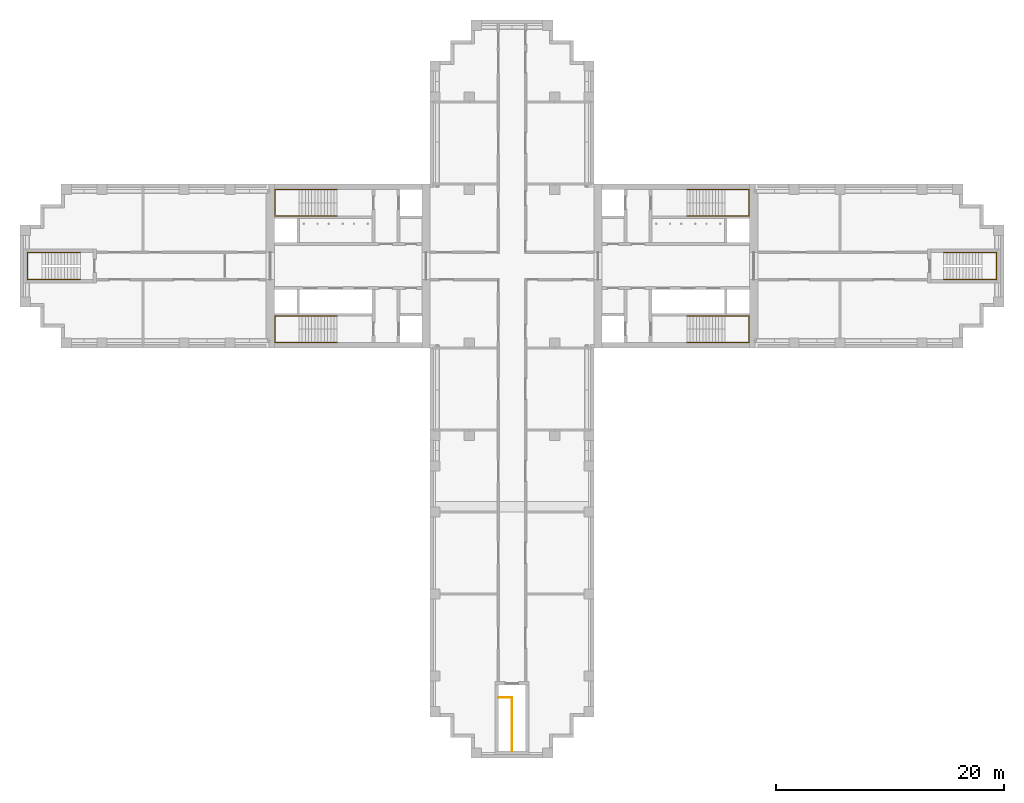
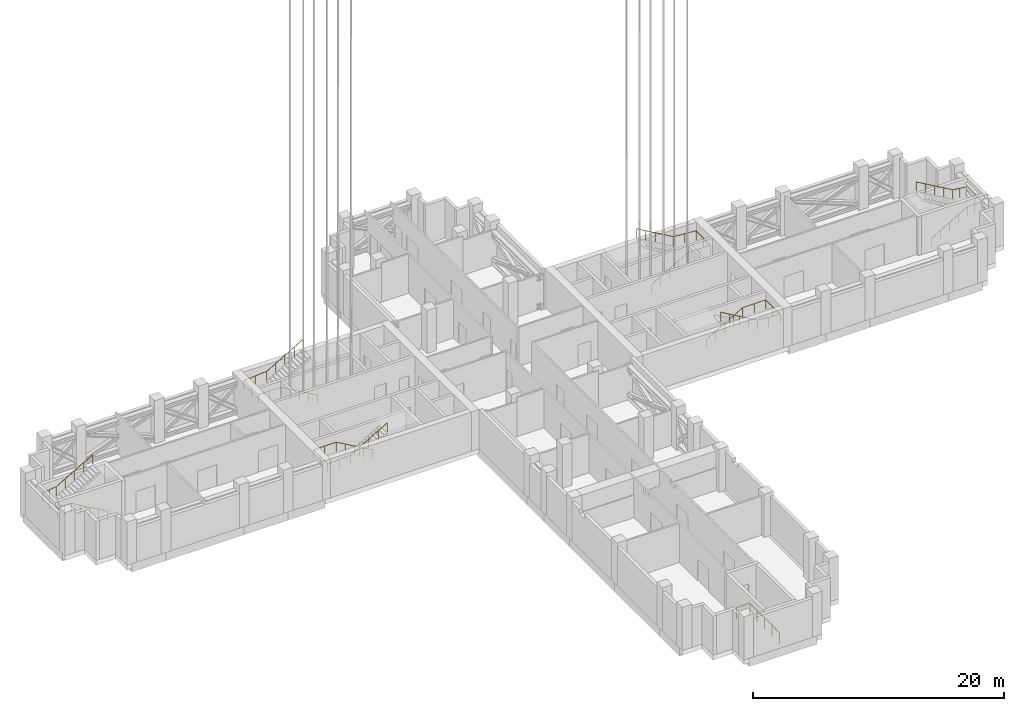
# One storey, part 22 of 22: 7 railings.
"""IFC4 building model written with IfcOpenShell, lengths in metres."""

import ifcopenshell
import ifcopenshell.guid

model = None  # the IFC model being written
_history = None  # IfcOwnerHistory: only IFC2X3 demands one
_inside = {}  # id of a spatial element -> (the spatial element, [elements in it])
_under = {}  # id of a project, library or spatial element -> (it, [spatial elements below it])
_declared = {}  # id of a project -> (the project, [libraries it declares])
_typed = {}  # id of a type object -> (the type object, [elements of that type])
_made_of = {}  # id of a material, layer set ... -> (it, [elements and type objects made of it])


def new_model(schema):
    """Start an empty IFC model of exactly this schema.

    Asked for "IFC4X3", IfcOpenShell would pick the latest addendum, in which some entities
    have other attributes; the version numbers below select the first issue.
    IFC2X3 requires an IfcOwnerHistory on every rooted entity: one is made here for all.
    """
    global model, _history
    if schema == "IFC4X3":
        model = ifcopenshell.file(schema_version=(4, 3, 0, 0))
    else:
        model = ifcopenshell.file(schema=schema)
    _inside.clear()
    _under.clear()
    _declared.clear()
    _typed.clear()
    _made_of.clear()
    _history = None
    if model.schema == "IFC2X3":
        org = make("IfcOrganization", Name="unknown")
        user = make(
            "IfcPersonAndOrganization",
            ThePerson=make("IfcPerson", FamilyName="unknown"),
            TheOrganization=org,
        )
        app = make(
            "IfcApplication",
            ApplicationDeveloper=org,
            Version="unknown",
            ApplicationFullName="unknown",
            ApplicationIdentifier="unknown",
        )
        _history = make(
            "IfcOwnerHistory",
            OwningUser=user,
            OwningApplication=app,
            ChangeAction="ADDED",
            CreationDate=0,
        )
    return model


def make(cls, **values):
    """One entity of the class cls with the attributes given. An attribute that is None is left unset."""
    return model.create_entity(
        cls, **{name: value for name, value in values.items() if value is not None}
    )


def rooted(cls, **values):
    """An entity with a GlobalId (a new one), such as an element, a storey or a relation."""
    return make(cls, GlobalId=ifcopenshell.guid.new(), OwnerHistory=_history, **values)


def si_unit(unit_type, name, prefix=None):
    """IfcSIUnit, for example si_unit("LENGTHUNIT", "METRE", prefix="MILLI")."""
    return make("IfcSIUnit", UnitType=unit_type, Prefix=prefix, Name=name)


def assignment(units):
    """IfcUnitAssignment: the units of a project."""
    return None if units is None else make("IfcUnitAssignment", Units=units)


def point(xyz):
    """IfcCartesianPoint."""
    return None if xyz is None else make("IfcCartesianPoint", Coordinates=xyz)


def direction(xyz):
    """IfcDirection."""
    return None if xyz is None else make("IfcDirection", DirectionRatios=xyz)


def frame(location, z_axis=None, x_axis=None):
    """IfcAxis2Placement3D, a coordinate frame: its origin and axes. An axis left out is left unset."""
    return make(
        "IfcAxis2Placement3D",
        Location=point(location),
        Axis=direction(z_axis),
        RefDirection=direction(x_axis),
    )


def frame_2d(location, x_axis=None):
    """IfcAxis2Placement2D, a coordinate frame in the plane: its origin and x axis."""
    return make(
        "IfcAxis2Placement2D", Location=point(location), RefDirection=direction(x_axis)
    )


def origin():
    """The frame at (0, 0, 0) with its axes left unset."""
    return frame((0.0, 0.0, 0.0))


def origin_2d():
    """The frame at (0, 0) in the plane with its x axis left unset."""
    return frame_2d((0.0, 0.0))


def place(relative_to, where):
    """IfcLocalPlacement: puts the frame where relative to a parent placement (None: the world)."""
    return make(
        "IfcLocalPlacement", PlacementRelTo=relative_to, RelativePlacement=where
    )


def context(
    kind, dimensions, precision=None, world=None, true_north=None, identifier=None
):
    """IfcGeometricRepresentationContext, for example the 3D "Model" context."""
    return make(
        "IfcGeometricRepresentationContext",
        ContextIdentifier=identifier,
        ContextType=kind,
        CoordinateSpaceDimension=dimensions,
        Precision=precision,
        WorldCoordinateSystem=world,
        TrueNorth=true_north,
    )


def subcontext(parent, identifier, kind, view, scale=None):
    """IfcGeometricRepresentationSubContext, for example "Body" below "Model"."""
    return make(
        "IfcGeometricRepresentationSubContext",
        ContextIdentifier=identifier,
        ContextType=kind,
        ParentContext=parent,
        TargetScale=scale,
        TargetView=view,
    )


def project(units=None, contexts=None):
    """IfcProject with its units and contexts."""
    return rooted(
        "IfcProject",
        Name="project",
        RepresentationContexts=contexts,
        UnitsInContext=assignment(units),
    )


def spatial(cls, under=None, at=None, **own):
    """A site, building, storey or space (cls), placed at a placement, below another one or the project."""
    s = rooted(cls, ObjectPlacement=at, **own)
    if under is not None:
        _under.setdefault(under.id(), (under, []))[1].append(s)
    return s


def profile(cls, at=None, kind="AREA", **sizes):
    """A parametric profile (cls). Its sizes go by their IFC names, for example OverallWidth=200.0."""
    return make(cls, ProfileType=kind, Position=at, **sizes)


def circle(**sizes):
    """IfcCircleProfileDef."""
    return profile("IfcCircleProfileDef", **sizes)


def extrude(swept, where, along, depth):
    """IfcExtrudedAreaSolid: the profile swept, set in the frame where, extruded along a direction by depth."""
    return make(
        "IfcExtrudedAreaSolid",
        SweptArea=swept,
        Position=where,
        ExtrudedDirection=direction(along),
        Depth=depth,
    )


def shape(context_of_items, identifier, shape_type, items):
    """IfcShapeRepresentation: the items that make up one representation, for example the "Body"."""
    return make(
        "IfcShapeRepresentation",
        ContextOfItems=context_of_items,
        RepresentationIdentifier=identifier,
        RepresentationType=shape_type,
        Items=items,
    )


def material(Name=None, Category=None):
    """IfcMaterial."""
    return make("IfcMaterial", Name=Name, Category=Category)


def made_of(thing, what):
    """Note that an element or type object is made of a material, layer set ...; save() writes the relation."""
    if what is not None:
        _made_of.setdefault(what.id(), (what, []))[1].append(thing)
    return thing


def type_object(cls, material=None, **own):
    """A type object (cls), such as IfcWallType, which elements share."""
    return made_of(rooted(cls, **own), material)


def element(
    cls,
    number,
    at=None,
    inside=None,
    cuts=None,
    type_object=None,
    material=None,
    context=None,
    identifier="Body",
    shape_type=None,
    held_by="IfcProductDefinitionShape",
    body=None,
    shapes=None,
    **own,
):
    """One element of the class cls, such as IfcWall. Its Tag is "e" and its number.

    at: its placement. inside: the storey or other place that contains it. cuts: it is an
    opening in that element (IfcRelVoidsElement). A single representation is given by context,
    identifier, shape_type and body (its items); several are given by shapes. held_by: the class
    of the entity that holds the representations. save() writes the other relations.
    """
    e = rooted(cls, Tag="e%d" % number, ObjectPlacement=at, **own)
    if body is not None:
        shapes = [shape(context, identifier, shape_type, body)]
    if shapes is not None:
        e.Representation = make(held_by, Representations=shapes)
    if inside is not None:
        _inside.setdefault(inside.id(), (inside, []))[1].append(e)
    if cuts is not None:
        rooted(
            "IfcRelVoidsElement", RelatingBuildingElement=cuts, RelatedOpeningElement=e
        )
    if type_object is not None:
        _typed.setdefault(type_object.id(), (type_object, []))[1].append(e)
    return made_of(e, material)


def aggregate(whole, parts):
    """IfcRelAggregates: a whole, such as a stair, and the parts it consists of."""
    return rooted("IfcRelAggregates", RelatingObject=whole, RelatedObjects=parts)


def save(model, path):
    """Write the relations noted so far, then the file.

    IfcRelAggregates (storeys below a building ...), IfcRelContainedInSpatialStructure (elements
    in a storey), IfcRelDefinesByType, IfcRelAssociatesMaterial and IfcRelDeclares: one each for
    every whole, place, type object, material and project.
    """
    for whole, parts in _under.values():
        aggregate(whole, parts)
    for where, things in _inside.values():
        rooted(
            "IfcRelContainedInSpatialStructure",
            RelatedElements=things,
            RelatingStructure=where,
        )
    for kind, things in _typed.values():
        rooted("IfcRelDefinesByType", RelatedObjects=things, RelatingType=kind)
    for what, things in _made_of.values():
        rooted("IfcRelAssociatesMaterial", RelatedObjects=things, RelatingMaterial=what)
    for by, libraries in _declared.values():
        rooted("IfcRelDeclares", RelatingContext=by, RelatedDefinitions=libraries)
    model.write(path)


model = new_model("IFC4")

# Units and contexts
model_context = context("Model", 3, precision=1e-05, world=origin(), true_north=direction((0.0, 1.0)))
body_context = subcontext(model_context, "Body", "Model", "MODEL_VIEW")
ifc_project = project(units=[si_unit("LENGTHUNIT", "METRE"), si_unit("AREAUNIT", "SQUARE_METRE"), si_unit("VOLUMEUNIT", "CUBIC_METRE"), si_unit("PLANEANGLEUNIT", "RADIAN"), si_unit("MASSUNIT", "GRAM", prefix="KILO")], contexts=[model_context])

# Site, building, storey
site_placement = place(None, origin())
site = spatial("IfcSite", under=ifc_project, at=site_placement, CompositionType="ELEMENT")
building_placement = place(site_placement, origin())
building = spatial("IfcBuilding", under=site, at=building_placement, Name="Fustian Cross Tower", CompositionType="ELEMENT")
storey_placement = place(building_placement, frame((0.0, 0.0, 111.89990234375)))
storey = spatial("IfcBuildingStorey", under=building, at=storey_placement, Name="L35", CompositionType="ELEMENT", Elevation=111.89990234375)

# Railings
ifc_material_1 = material(Name="Stainless steel", Category="steel")
railing_type_1 = type_object("IfcRailingType", Name="STAIR GUARD", PredefinedType="GUARDRAIL", material=ifc_material_1)
railing_1_placement = place(storey_placement, frame((-1.199951171875, -37.89990234375, 0.0)))
element("IfcRailing", 1, at=railing_1_placement, inside=storey, type_object=railing_type_1, Name="Stair ST6 guard", PredefinedType="GUARDRAIL", context=body_context, shape_type="SweptSolid", body=[
    extrude(circle(Radius=0.02490234375, at=origin_2d()), frame((0.0, 0.0, 1.0751953125), z_axis=(1.0, 0.0, 0.0), x_axis=(0.0, 1.0, 0.0)), (0.0, 0.0, 1.0), 1.199951171875),
    extrude(circle(Radius=0.02490234375, at=origin_2d()), frame((1.199951171875, 0.0, 1.0751953125), z_axis=(0.0, -1.0, 0.0), x_axis=(1.0, 0.0, 0.0)), (0.0, 0.0, 1.0), 4.7001953125),
    extrude(circle(Radius=0.02001953125, at=origin_2d()), origin(), (0.0, 0.0, 1.0), 1.050048828125),
    extrude(circle(Radius=0.02001953125, at=origin_2d()), frame((1.199951171875, 0.0, 0.0)), (0.0, 0.0, 1.0), 1.050048828125),
    extrude(circle(Radius=0.02001953125, at=origin_2d()), frame((1.199951171875, -1.175048828125, 0.0)), (0.0, 0.0, 1.0), 1.050048828125),
    extrude(circle(Radius=0.02001953125, at=origin_2d()), frame((1.199951171875, -2.35009765625, 0.0)), (0.0, 0.0, 1.0), 1.050048828125),
    extrude(circle(Radius=0.02001953125, at=origin_2d()), frame((1.199951171875, -3.525146484375, 0.0)), (0.0, 0.0, 1.0), 1.050048828125),
    extrude(circle(Radius=0.02001953125, at=origin_2d()), frame((1.199951171875, -4.7001953125, 0.0)), (0.0, 0.0, 1.0), 1.050048828125),
])
ifc_material_2 = material(Name="Stainless steel", Category="steel")
railing_type_2 = type_object("IfcRailingType", Name="STAIR HANDRAIL", PredefinedType="HANDRAIL", material=ifc_material_2)
railing_2_placement = place(storey_placement, frame((15.35009765625, 4.39990234375, 0.16162109375)))
element("IfcRailing", 2, at=railing_2_placement, inside=storey, type_object=railing_type_2, Name="Stair ST1 handrail 1", PredefinedType="HANDRAIL", context=body_context, shape_type="SweptSolid", body=[
    extrude(circle(Radius=0.02490234375, at=origin_2d()), frame((0.0, 0.0, 0.875), z_axis=(0.866175107563, 0.0, 0.499740615757), x_axis=(0.0, 1.0, 0.0)), (0.0, 0.0, 1.0), 3.87890625),
    extrude(circle(Radius=0.02490234375, at=origin_2d()), frame((3.35986328125, 0.0, 2.8134765625), z_axis=(1.0, 0.0, 0.0), x_axis=(0.0, 1.0, 0.0)), (0.0, 0.0, 1.0), 2.10009765625),
    extrude(circle(Radius=0.02490234375, at=origin_2d()), frame((5.4599609375, 0.0, 2.8134765625), z_axis=(0.0, 1.0, 0.0), x_axis=(-1.0, 0.0, 0.0)), (0.0, 0.0, 1.0), 2.300048828125),
    extrude(circle(Radius=0.02490234375, at=origin_2d()), frame((5.4599609375, 2.300048828125, 2.8134765625), z_axis=(-0.997051757594, 0.0, 0.076731953444), x_axis=(0.0, -1.0, 0.0)), (0.0, 0.0, 1.0), 2.106201171875),
    extrude(circle(Radius=0.02490234375, at=origin_2d()), frame((3.35986328125, 2.300048828125, 2.97509765625), z_axis=(-0.866175107563, 0.0, 0.499740615757), x_axis=(0.0, -1.0, 0.0)), (0.0, 0.0, 1.0), 3.87890625),
    extrude(circle(Radius=0.02001953125, at=origin_2d()), origin(), (0.0, 0.0, 1.0), 0.849853515625),
    extrude(circle(Radius=0.02001953125, at=origin_2d()), frame((0.83984375, 0.0, 0.484619140625)), (0.0, 0.0, 1.0), 0.849853515625),
    extrude(circle(Radius=0.02001953125, at=origin_2d()), frame((1.679931640625, 0.0, 0.96923828125)), (0.0, 0.0, 1.0), 0.849853515625),
    extrude(circle(Radius=0.02001953125, at=origin_2d()), frame((2.52001953125, 0.0, 1.453857421875)), (0.0, 0.0, 1.0), 0.849853515625),
    extrude(circle(Radius=0.02001953125, at=origin_2d()), frame((3.35986328125, 0.0, 1.9384765625)), (0.0, 0.0, 1.0), 0.849853515625),
    extrude(circle(Radius=0.02001953125, at=origin_2d()), frame((4.409912109375, 0.0, 1.9384765625)), (0.0, 0.0, 1.0), 0.849853515625),
    extrude(circle(Radius=0.02001953125, at=origin_2d()), frame((5.4599609375, 0.0, 1.9384765625)), (0.0, 0.0, 1.0), 0.849853515625),
    extrude(circle(Radius=0.02001953125, at=origin_2d()), frame((5.4599609375, 1.14990234375, 1.9384765625)), (0.0, 0.0, 1.0), 0.849853515625),
    extrude(circle(Radius=0.02001953125, at=origin_2d()), frame((5.4599609375, 2.300048828125, 1.9384765625)), (0.0, 0.0, 1.0), 0.849853515625),
    extrude(circle(Radius=0.02001953125, at=origin_2d()), frame((4.409912109375, 2.300048828125, 2.019287109375)), (0.0, 0.0, 1.0), 0.849853515625),
    extrude(circle(Radius=0.02001953125, at=origin_2d()), frame((3.35986328125, 2.300048828125, 2.10009765625)), (0.0, 0.0, 1.0), 0.849853515625),
    extrude(circle(Radius=0.02001953125, at=origin_2d()), frame((2.52001953125, 2.300048828125, 2.584716796875)), (0.0, 0.0, 1.0), 0.849853515625),
    extrude(circle(Radius=0.02001953125, at=origin_2d()), frame((1.679931640625, 2.300048828125, 3.0693359375)), (0.0, 0.0, 1.0), 0.849853515625),
    extrude(circle(Radius=0.02001953125, at=origin_2d()), frame((0.83984375, 2.300048828125, 3.553955078125)), (0.0, 0.0, 1.0), 0.849853515625),
    extrude(circle(Radius=0.02001953125, at=origin_2d()), frame((0.0, 2.300048828125, 4.03857421875)), (0.0, 0.0, 1.0), 0.849853515625),
])
railing_3_placement = place(storey_placement, frame((15.35009765625, -4.39990234375, 0.16162109375)))
element("IfcRailing", 3, at=railing_3_placement, inside=storey, type_object=railing_type_2, Name="Stair ST2 handrail 1", PredefinedType="HANDRAIL", context=body_context, shape_type="SweptSolid", body=[
    extrude(circle(Radius=0.02490234375, at=origin_2d()), frame((0.0, 0.0, 0.875), z_axis=(0.866175107563, 0.0, 0.499740615757), x_axis=(0.0, 1.0, 0.0)), (0.0, 0.0, 1.0), 3.87890625),
    extrude(circle(Radius=0.02490234375, at=origin_2d()), frame((3.35986328125, 0.0, 2.8134765625), z_axis=(1.0, 0.0, 0.0), x_axis=(0.0, 1.0, 0.0)), (0.0, 0.0, 1.0), 2.10009765625),
    extrude(circle(Radius=0.02490234375, at=origin_2d()), frame((5.4599609375, 0.0, 2.8134765625), z_axis=(0.0, -1.0, 0.0), x_axis=(1.0, 0.0, 0.0)), (0.0, 0.0, 1.0), 2.300048828125),
    extrude(circle(Radius=0.02490234375, at=origin_2d()), frame((5.4599609375, -2.300048828125, 2.8134765625), z_axis=(-0.997051757594, 0.0, 0.076731953444), x_axis=(0.0, -1.0, 0.0)), (0.0, 0.0, 1.0), 2.106201171875),
    extrude(circle(Radius=0.02490234375, at=origin_2d()), frame((3.35986328125, -2.300048828125, 2.97509765625), z_axis=(-0.866175107563, 0.0, 0.499740615757), x_axis=(0.0, -1.0, 0.0)), (0.0, 0.0, 1.0), 3.87890625),
    extrude(circle(Radius=0.02001953125, at=origin_2d()), origin(), (0.0, 0.0, 1.0), 0.849853515625),
    extrude(circle(Radius=0.02001953125, at=origin_2d()), frame((0.83984375, 0.0, 0.484619140625)), (0.0, 0.0, 1.0), 0.849853515625),
    extrude(circle(Radius=0.02001953125, at=origin_2d()), frame((1.679931640625, 0.0, 0.96923828125)), (0.0, 0.0, 1.0), 0.849853515625),
    extrude(circle(Radius=0.02001953125, at=origin_2d()), frame((2.52001953125, 0.0, 1.453857421875)), (0.0, 0.0, 1.0), 0.849853515625),
    extrude(circle(Radius=0.02001953125, at=origin_2d()), frame((3.35986328125, 0.0, 1.9384765625)), (0.0, 0.0, 1.0), 0.849853515625),
    extrude(circle(Radius=0.02001953125, at=origin_2d()), frame((4.409912109375, 0.0, 1.9384765625)), (0.0, 0.0, 1.0), 0.849853515625),
    extrude(circle(Radius=0.02001953125, at=origin_2d()), frame((5.4599609375, 0.0, 1.9384765625)), (0.0, 0.0, 1.0), 0.849853515625),
    extrude(circle(Radius=0.02001953125, at=origin_2d()), frame((5.4599609375, -1.14990234375, 1.9384765625)), (0.0, 0.0, 1.0), 0.849853515625),
    extrude(circle(Radius=0.02001953125, at=origin_2d()), frame((5.4599609375, -2.300048828125, 1.9384765625)), (0.0, 0.0, 1.0), 0.849853515625),
    extrude(circle(Radius=0.02001953125, at=origin_2d()), frame((4.409912109375, -2.300048828125, 2.019287109375)), (0.0, 0.0, 1.0), 0.849853515625),
    extrude(circle(Radius=0.02001953125, at=origin_2d()), frame((3.35986328125, -2.300048828125, 2.10009765625)), (0.0, 0.0, 1.0), 0.849853515625),
    extrude(circle(Radius=0.02001953125, at=origin_2d()), frame((2.52001953125, -2.300048828125, 2.584716796875)), (0.0, 0.0, 1.0), 0.849853515625),
    extrude(circle(Radius=0.02001953125, at=origin_2d()), frame((1.679931640625, -2.300048828125, 3.0693359375)), (0.0, 0.0, 1.0), 0.849853515625),
    extrude(circle(Radius=0.02001953125, at=origin_2d()), frame((0.83984375, -2.300048828125, 3.553955078125)), (0.0, 0.0, 1.0), 0.849853515625),
    extrude(circle(Radius=0.02001953125, at=origin_2d()), frame((0.0, -2.300048828125, 4.03857421875)), (0.0, 0.0, 1.0), 0.849853515625),
])
railing_4_placement = place(storey_placement, frame((-15.35009765625, 4.39990234375, 0.16162109375)))
element("IfcRailing", 4, at=railing_4_placement, inside=storey, type_object=railing_type_2, Name="Stair ST3 handrail 1", PredefinedType="HANDRAIL", context=body_context, shape_type="SweptSolid", body=[
    extrude(circle(Radius=0.02490234375, at=origin_2d()), frame((0.0, 0.0, 0.875), z_axis=(-0.866175107563, 0.0, 0.499740615757), x_axis=(0.0, -1.0, 0.0)), (0.0, 0.0, 1.0), 3.87890625),
    extrude(circle(Radius=0.02490234375, at=origin_2d()), frame((-3.35986328125, 0.0, 2.8134765625), z_axis=(-1.0, 0.0, 0.0), x_axis=(0.0, -1.0, 0.0)), (0.0, 0.0, 1.0), 2.10009765625),
    extrude(circle(Radius=0.02490234375, at=origin_2d()), frame((-5.4599609375, 0.0, 2.8134765625), z_axis=(0.0, 1.0, 0.0), x_axis=(-1.0, 0.0, 0.0)), (0.0, 0.0, 1.0), 2.300048828125),
    extrude(circle(Radius=0.02490234375, at=origin_2d()), frame((-5.4599609375, 2.300048828125, 2.8134765625), z_axis=(0.997051757594, 0.0, 0.076731953444), x_axis=(0.0, 1.0, 0.0)), (0.0, 0.0, 1.0), 2.106201171875),
    extrude(circle(Radius=0.02490234375, at=origin_2d()), frame((-3.35986328125, 2.300048828125, 2.97509765625), z_axis=(0.866175107563, 0.0, 0.499740615757), x_axis=(0.0, 1.0, 0.0)), (0.0, 0.0, 1.0), 3.87890625),
    extrude(circle(Radius=0.02001953125, at=origin_2d()), origin(), (0.0, 0.0, 1.0), 0.849853515625),
    extrude(circle(Radius=0.02001953125, at=origin_2d()), frame((-0.83984375, 0.0, 0.484619140625)), (0.0, 0.0, 1.0), 0.849853515625),
    extrude(circle(Radius=0.02001953125, at=origin_2d()), frame((-1.679931640625, 0.0, 0.96923828125)), (0.0, 0.0, 1.0), 0.849853515625),
    extrude(circle(Radius=0.02001953125, at=origin_2d()), frame((-2.52001953125, 0.0, 1.453857421875)), (0.0, 0.0, 1.0), 0.849853515625),
    extrude(circle(Radius=0.02001953125, at=origin_2d()), frame((-3.35986328125, 0.0, 1.9384765625)), (0.0, 0.0, 1.0), 0.849853515625),
    extrude(circle(Radius=0.02001953125, at=origin_2d()), frame((-4.409912109375, 0.0, 1.9384765625)), (0.0, 0.0, 1.0), 0.849853515625),
    extrude(circle(Radius=0.02001953125, at=origin_2d()), frame((-5.4599609375, 0.0, 1.9384765625)), (0.0, 0.0, 1.0), 0.849853515625),
    extrude(circle(Radius=0.02001953125, at=origin_2d()), frame((-5.4599609375, 1.14990234375, 1.9384765625)), (0.0, 0.0, 1.0), 0.849853515625),
    extrude(circle(Radius=0.02001953125, at=origin_2d()), frame((-5.4599609375, 2.300048828125, 1.9384765625)), (0.0, 0.0, 1.0), 0.849853515625),
    extrude(circle(Radius=0.02001953125, at=origin_2d()), frame((-4.409912109375, 2.300048828125, 2.019287109375)), (0.0, 0.0, 1.0), 0.849853515625),
    extrude(circle(Radius=0.02001953125, at=origin_2d()), frame((-3.35986328125, 2.300048828125, 2.10009765625)), (0.0, 0.0, 1.0), 0.849853515625),
    extrude(circle(Radius=0.02001953125, at=origin_2d()), frame((-2.52001953125, 2.300048828125, 2.584716796875)), (0.0, 0.0, 1.0), 0.849853515625),
    extrude(circle(Radius=0.02001953125, at=origin_2d()), frame((-1.679931640625, 2.300048828125, 3.0693359375)), (0.0, 0.0, 1.0), 0.849853515625),
    extrude(circle(Radius=0.02001953125, at=origin_2d()), frame((-0.83984375, 2.300048828125, 3.553955078125)), (0.0, 0.0, 1.0), 0.849853515625),
    extrude(circle(Radius=0.02001953125, at=origin_2d()), frame((0.0, 2.300048828125, 4.03857421875)), (0.0, 0.0, 1.0), 0.849853515625),
])
railing_5_placement = place(storey_placement, frame((-15.35009765625, -4.39990234375, 0.16162109375)))
element("IfcRailing", 5, at=railing_5_placement, inside=storey, type_object=railing_type_2, Name="Stair ST4 handrail 1", PredefinedType="HANDRAIL", context=body_context, shape_type="SweptSolid", body=[
    extrude(circle(Radius=0.02490234375, at=origin_2d()), frame((0.0, 0.0, 0.875), z_axis=(-0.866175107563, 0.0, 0.499740615757), x_axis=(0.0, -1.0, 0.0)), (0.0, 0.0, 1.0), 3.87890625),
    extrude(circle(Radius=0.02490234375, at=origin_2d()), frame((-3.35986328125, 0.0, 2.8134765625), z_axis=(-1.0, 0.0, 0.0), x_axis=(0.0, -1.0, 0.0)), (0.0, 0.0, 1.0), 2.10009765625),
    extrude(circle(Radius=0.02490234375, at=origin_2d()), frame((-5.4599609375, 0.0, 2.8134765625), z_axis=(0.0, -1.0, 0.0), x_axis=(1.0, 0.0, 0.0)), (0.0, 0.0, 1.0), 2.300048828125),
    extrude(circle(Radius=0.02490234375, at=origin_2d()), frame((-5.4599609375, -2.300048828125, 2.8134765625), z_axis=(0.997051757594, 0.0, 0.076731953444), x_axis=(0.0, 1.0, 0.0)), (0.0, 0.0, 1.0), 2.106201171875),
    extrude(circle(Radius=0.02490234375, at=origin_2d()), frame((-3.35986328125, -2.300048828125, 2.97509765625), z_axis=(0.866175107563, 0.0, 0.499740615757), x_axis=(0.0, 1.0, 0.0)), (0.0, 0.0, 1.0), 3.87890625),
    extrude(circle(Radius=0.02001953125, at=origin_2d()), origin(), (0.0, 0.0, 1.0), 0.849853515625),
    extrude(circle(Radius=0.02001953125, at=origin_2d()), frame((-0.83984375, 0.0, 0.484619140625)), (0.0, 0.0, 1.0), 0.849853515625),
    extrude(circle(Radius=0.02001953125, at=origin_2d()), frame((-1.679931640625, 0.0, 0.96923828125)), (0.0, 0.0, 1.0), 0.849853515625),
    extrude(circle(Radius=0.02001953125, at=origin_2d()), frame((-2.52001953125, 0.0, 1.453857421875)), (0.0, 0.0, 1.0), 0.849853515625),
    extrude(circle(Radius=0.02001953125, at=origin_2d()), frame((-3.35986328125, 0.0, 1.9384765625)), (0.0, 0.0, 1.0), 0.849853515625),
    extrude(circle(Radius=0.02001953125, at=origin_2d()), frame((-4.409912109375, 0.0, 1.9384765625)), (0.0, 0.0, 1.0), 0.849853515625),
    extrude(circle(Radius=0.02001953125, at=origin_2d()), frame((-5.4599609375, 0.0, 1.9384765625)), (0.0, 0.0, 1.0), 0.849853515625),
    extrude(circle(Radius=0.02001953125, at=origin_2d()), frame((-5.4599609375, -1.14990234375, 1.9384765625)), (0.0, 0.0, 1.0), 0.849853515625),
    extrude(circle(Radius=0.02001953125, at=origin_2d()), frame((-5.4599609375, -2.300048828125, 1.9384765625)), (0.0, 0.0, 1.0), 0.849853515625),
    extrude(circle(Radius=0.02001953125, at=origin_2d()), frame((-4.409912109375, -2.300048828125, 2.019287109375)), (0.0, 0.0, 1.0), 0.849853515625),
    extrude(circle(Radius=0.02001953125, at=origin_2d()), frame((-3.35986328125, -2.300048828125, 2.10009765625)), (0.0, 0.0, 1.0), 0.849853515625),
    extrude(circle(Radius=0.02001953125, at=origin_2d()), frame((-2.52001953125, -2.300048828125, 2.584716796875)), (0.0, 0.0, 1.0), 0.849853515625),
    extrude(circle(Radius=0.02001953125, at=origin_2d()), frame((-1.679931640625, -2.300048828125, 3.0693359375)), (0.0, 0.0, 1.0), 0.849853515625),
    extrude(circle(Radius=0.02001953125, at=origin_2d()), frame((-0.83984375, -2.300048828125, 3.553955078125)), (0.0, 0.0, 1.0), 0.849853515625),
    extrude(circle(Radius=0.02001953125, at=origin_2d()), frame((0.0, -2.300048828125, 4.03857421875)), (0.0, 0.0, 1.0), 0.849853515625),
])
railing_6_placement = place(storey_placement, frame((37.89990234375, -1.199951171875, 0.16162109375)))
element("IfcRailing", 6, at=railing_6_placement, inside=storey, type_object=railing_type_2, Name="Stair ST8 handrail 1", PredefinedType="HANDRAIL", context=body_context, shape_type="SweptSolid", body=[
    extrude(circle(Radius=0.02490234375, at=origin_2d()), frame((0.0, 0.0, 0.875), z_axis=(0.866190824863, 0.0, 0.499713372768), x_axis=(0.0, 1.0, 0.0)), (0.0, 0.0, 1.0), 3.879150390625),
    extrude(circle(Radius=0.02490234375, at=origin_2d()), frame((3.360107421875, 0.0, 2.8134765625), z_axis=(1.0, 0.0, 0.0), x_axis=(0.0, 1.0, 0.0)), (0.0, 0.0, 1.0), 1.300048828125),
    extrude(circle(Radius=0.02490234375, at=origin_2d()), frame((4.66015625, 0.0, 2.8134765625), z_axis=(0.0, 1.0, 0.0), x_axis=(-1.0, 0.0, 0.0)), (0.0, 0.0, 1.0), 2.39990234375),
    extrude(circle(Radius=0.02490234375, at=origin_2d()), frame((4.66015625, 2.39990234375, 2.8134765625), z_axis=(-0.992360798486, 0.0, 0.123369549032), x_axis=(0.0, -1.0, 0.0)), (0.0, 0.0, 1.0), 1.31005859375),
    extrude(circle(Radius=0.02490234375, at=origin_2d()), frame((3.360107421875, 2.39990234375, 2.97509765625), z_axis=(-0.866190824863, 0.0, 0.499713372768), x_axis=(0.0, -1.0, 0.0)), (0.0, 0.0, 1.0), 3.879150390625),
    extrude(circle(Radius=0.02001953125, at=origin_2d()), origin(), (0.0, 0.0, 1.0), 0.849853515625),
    extrude(circle(Radius=0.02001953125, at=origin_2d()), frame((0.840087890625, 0.0, 0.484619140625)), (0.0, 0.0, 1.0), 0.849853515625),
    extrude(circle(Radius=0.02001953125, at=origin_2d()), frame((1.68017578125, 0.0, 0.96923828125)), (0.0, 0.0, 1.0), 0.849853515625),
    extrude(circle(Radius=0.02001953125, at=origin_2d()), frame((2.52001953125, 0.0, 1.453857421875)), (0.0, 0.0, 1.0), 0.849853515625),
    extrude(circle(Radius=0.02001953125, at=origin_2d()), frame((3.360107421875, 0.0, 1.9384765625)), (0.0, 0.0, 1.0), 0.849853515625),
    extrude(circle(Radius=0.02001953125, at=origin_2d()), frame((4.01025390625, 0.0, 1.9384765625)), (0.0, 0.0, 1.0), 0.849853515625),
    extrude(circle(Radius=0.02001953125, at=origin_2d()), frame((4.66015625, 0.0, 1.9384765625)), (0.0, 0.0, 1.0), 0.849853515625),
    extrude(circle(Radius=0.02001953125, at=origin_2d()), frame((4.66015625, 1.199951171875, 1.9384765625)), (0.0, 0.0, 1.0), 0.849853515625),
    extrude(circle(Radius=0.02001953125, at=origin_2d()), frame((4.66015625, 2.39990234375, 1.9384765625)), (0.0, 0.0, 1.0), 0.849853515625),
    extrude(circle(Radius=0.02001953125, at=origin_2d()), frame((4.01025390625, 2.39990234375, 2.019287109375)), (0.0, 0.0, 1.0), 0.849853515625),
    extrude(circle(Radius=0.02001953125, at=origin_2d()), frame((3.360107421875, 2.39990234375, 2.10009765625)), (0.0, 0.0, 1.0), 0.849853515625),
    extrude(circle(Radius=0.02001953125, at=origin_2d()), frame((2.52001953125, 2.39990234375, 2.584716796875)), (0.0, 0.0, 1.0), 0.849853515625),
    extrude(circle(Radius=0.02001953125, at=origin_2d()), frame((1.68017578125, 2.39990234375, 3.0693359375)), (0.0, 0.0, 1.0), 0.849853515625),
    extrude(circle(Radius=0.02001953125, at=origin_2d()), frame((0.840087890625, 2.39990234375, 3.553955078125)), (0.0, 0.0, 1.0), 0.849853515625),
    extrude(circle(Radius=0.02001953125, at=origin_2d()), frame((0.0, 2.39990234375, 4.03857421875)), (0.0, 0.0, 1.0), 0.849853515625),
])
railing_7_placement = place(storey_placement, frame((-37.89990234375, -1.199951171875, 0.16162109375)))
element("IfcRailing", 7, at=railing_7_placement, inside=storey, type_object=railing_type_2, Name="Stair ST9 handrail 1", PredefinedType="HANDRAIL", context=body_context, shape_type="SweptSolid", body=[
    extrude(circle(Radius=0.02490234375, at=origin_2d()), frame((0.0, 0.0, 0.875), z_axis=(-0.866190824863, 0.0, 0.499713372768), x_axis=(0.0, -1.0, 0.0)), (0.0, 0.0, 1.0), 3.879150390625),
    extrude(circle(Radius=0.02490234375, at=origin_2d()), frame((-3.360107421875, 0.0, 2.8134765625), z_axis=(-1.0, 0.0, 0.0), x_axis=(0.0, -1.0, 0.0)), (0.0, 0.0, 1.0), 1.300048828125),
    extrude(circle(Radius=0.02490234375, at=origin_2d()), frame((-4.66015625, 0.0, 2.8134765625), z_axis=(0.0, 1.0, 0.0), x_axis=(-1.0, 0.0, 0.0)), (0.0, 0.0, 1.0), 2.39990234375),
    extrude(circle(Radius=0.02490234375, at=origin_2d()), frame((-4.66015625, 2.39990234375, 2.8134765625), z_axis=(0.992360798486, 0.0, 0.123369549032), x_axis=(0.0, 1.0, 0.0)), (0.0, 0.0, 1.0), 1.31005859375),
    extrude(circle(Radius=0.02490234375, at=origin_2d()), frame((-3.360107421875, 2.39990234375, 2.97509765625), z_axis=(0.866190824863, 0.0, 0.499713372768), x_axis=(0.0, 1.0, 0.0)), (0.0, 0.0, 1.0), 3.879150390625),
    extrude(circle(Radius=0.02001953125, at=origin_2d()), origin(), (0.0, 0.0, 1.0), 0.849853515625),
    extrude(circle(Radius=0.02001953125, at=origin_2d()), frame((-0.840087890625, 0.0, 0.484619140625)), (0.0, 0.0, 1.0), 0.849853515625),
    extrude(circle(Radius=0.02001953125, at=origin_2d()), frame((-1.68017578125, 0.0, 0.96923828125)), (0.0, 0.0, 1.0), 0.849853515625),
    extrude(circle(Radius=0.02001953125, at=origin_2d()), frame((-2.52001953125, 0.0, 1.453857421875)), (0.0, 0.0, 1.0), 0.849853515625),
    extrude(circle(Radius=0.02001953125, at=origin_2d()), frame((-3.360107421875, 0.0, 1.9384765625)), (0.0, 0.0, 1.0), 0.849853515625),
    extrude(circle(Radius=0.02001953125, at=origin_2d()), frame((-4.01025390625, 0.0, 1.9384765625)), (0.0, 0.0, 1.0), 0.849853515625),
    extrude(circle(Radius=0.02001953125, at=origin_2d()), frame((-4.66015625, 0.0, 1.9384765625)), (0.0, 0.0, 1.0), 0.849853515625),
    extrude(circle(Radius=0.02001953125, at=origin_2d()), frame((-4.66015625, 1.199951171875, 1.9384765625)), (0.0, 0.0, 1.0), 0.849853515625),
    extrude(circle(Radius=0.02001953125, at=origin_2d()), frame((-4.66015625, 2.39990234375, 1.9384765625)), (0.0, 0.0, 1.0), 0.849853515625),
    extrude(circle(Radius=0.02001953125, at=origin_2d()), frame((-4.01025390625, 2.39990234375, 2.019287109375)), (0.0, 0.0, 1.0), 0.849853515625),
    extrude(circle(Radius=0.02001953125, at=origin_2d()), frame((-3.360107421875, 2.39990234375, 2.10009765625)), (0.0, 0.0, 1.0), 0.849853515625),
    extrude(circle(Radius=0.02001953125, at=origin_2d()), frame((-2.52001953125, 2.39990234375, 2.584716796875)), (0.0, 0.0, 1.0), 0.849853515625),
    extrude(circle(Radius=0.02001953125, at=origin_2d()), frame((-1.68017578125, 2.39990234375, 3.0693359375)), (0.0, 0.0, 1.0), 0.849853515625),
    extrude(circle(Radius=0.02001953125, at=origin_2d()), frame((-0.840087890625, 2.39990234375, 3.553955078125)), (0.0, 0.0, 1.0), 0.849853515625),
    extrude(circle(Radius=0.02001953125, at=origin_2d()), frame((0.0, 2.39990234375, 4.03857421875)), (0.0, 0.0, 1.0), 0.849853515625),
])

save(model, "model.ifc")
